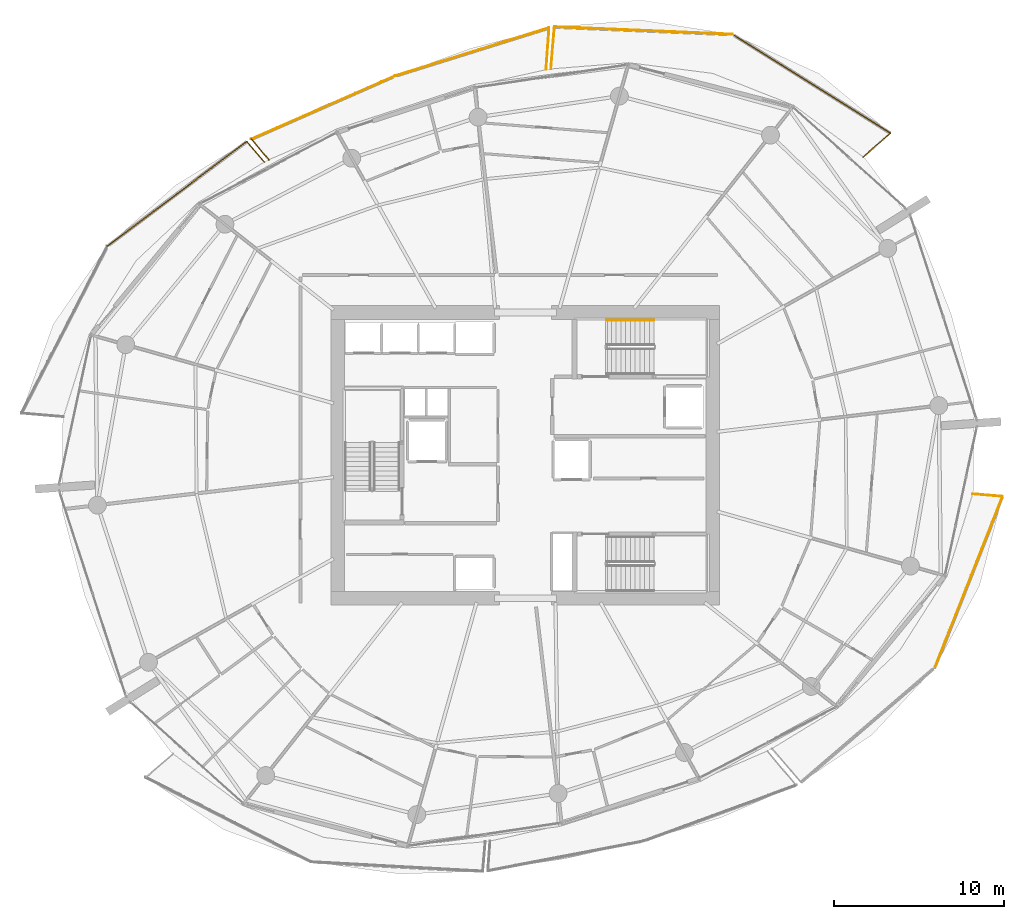
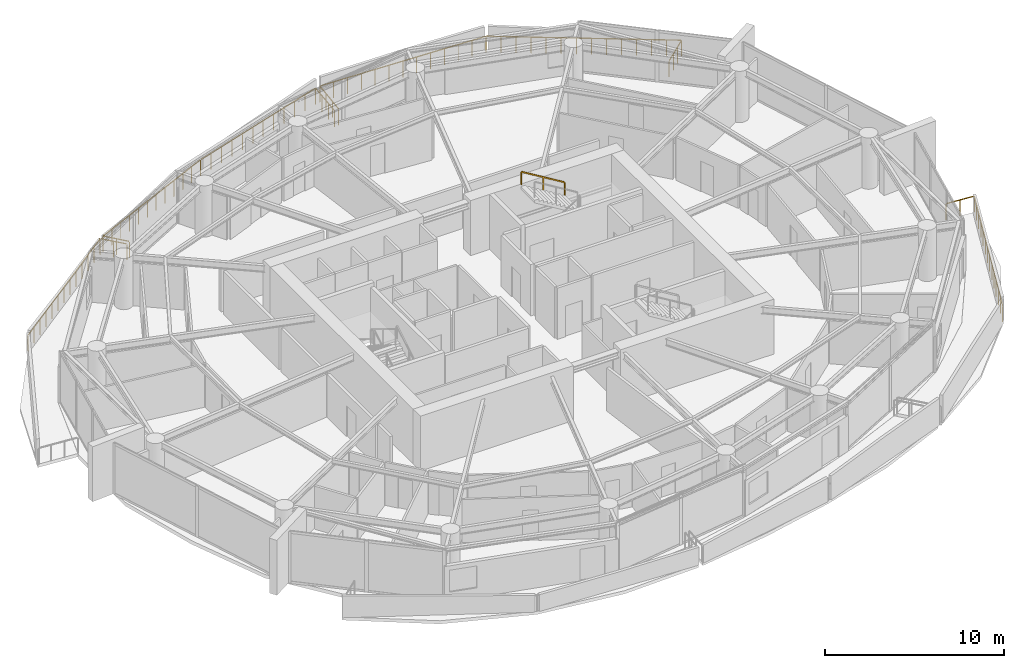
# One storey, part 20 of 20: 13 railings.
"""IFC4 building model written with IfcOpenShell, lengths in metres."""

import ifcopenshell
import ifcopenshell.guid

model = None  # the IFC model being written
_history = None  # IfcOwnerHistory: only IFC2X3 demands one
_inside = {}  # id of a spatial element -> (the spatial element, [elements in it])
_under = {}  # id of a project, library or spatial element -> (it, [spatial elements below it])
_declared = {}  # id of a project -> (the project, [libraries it declares])
_typed = {}  # id of a type object -> (the type object, [elements of that type])
_made_of = {}  # id of a material, layer set ... -> (it, [elements and type objects made of it])


def new_model(schema):
    """Start an empty IFC model of exactly this schema.

    Asked for "IFC4X3", IfcOpenShell would pick the latest addendum, in which some entities
    have other attributes; the version numbers below select the first issue.
    IFC2X3 requires an IfcOwnerHistory on every rooted entity: one is made here for all.
    """
    global model, _history
    if schema == "IFC4X3":
        model = ifcopenshell.file(schema_version=(4, 3, 0, 0))
    else:
        model = ifcopenshell.file(schema=schema)
    _inside.clear()
    _under.clear()
    _declared.clear()
    _typed.clear()
    _made_of.clear()
    _history = None
    if model.schema == "IFC2X3":
        org = make("IfcOrganization", Name="unknown")
        user = make(
            "IfcPersonAndOrganization",
            ThePerson=make("IfcPerson", FamilyName="unknown"),
            TheOrganization=org,
        )
        app = make(
            "IfcApplication",
            ApplicationDeveloper=org,
            Version="unknown",
            ApplicationFullName="unknown",
            ApplicationIdentifier="unknown",
        )
        _history = make(
            "IfcOwnerHistory",
            OwningUser=user,
            OwningApplication=app,
            ChangeAction="ADDED",
            CreationDate=0,
        )
    return model


def make(cls, **values):
    """One entity of the class cls with the attributes given. An attribute that is None is left unset."""
    return model.create_entity(
        cls, **{name: value for name, value in values.items() if value is not None}
    )


def rooted(cls, **values):
    """An entity with a GlobalId (a new one), such as an element, a storey or a relation."""
    return make(cls, GlobalId=ifcopenshell.guid.new(), OwnerHistory=_history, **values)


def si_unit(unit_type, name, prefix=None):
    """IfcSIUnit, for example si_unit("LENGTHUNIT", "METRE", prefix="MILLI")."""
    return make("IfcSIUnit", UnitType=unit_type, Prefix=prefix, Name=name)


def assignment(units):
    """IfcUnitAssignment: the units of a project."""
    return None if units is None else make("IfcUnitAssignment", Units=units)


def point(xyz):
    """IfcCartesianPoint."""
    return None if xyz is None else make("IfcCartesianPoint", Coordinates=xyz)


def direction(xyz):
    """IfcDirection."""
    return None if xyz is None else make("IfcDirection", DirectionRatios=xyz)


def frame(location, z_axis=None, x_axis=None):
    """IfcAxis2Placement3D, a coordinate frame: its origin and axes. An axis left out is left unset."""
    return make(
        "IfcAxis2Placement3D",
        Location=point(location),
        Axis=direction(z_axis),
        RefDirection=direction(x_axis),
    )


def frame_2d(location, x_axis=None):
    """IfcAxis2Placement2D, a coordinate frame in the plane: its origin and x axis."""
    return make(
        "IfcAxis2Placement2D", Location=point(location), RefDirection=direction(x_axis)
    )


def origin():
    """The frame at (0, 0, 0) with its axes left unset."""
    return frame((0.0, 0.0, 0.0))


def origin_2d():
    """The frame at (0, 0) in the plane with its x axis left unset."""
    return frame_2d((0.0, 0.0))


def place(relative_to, where):
    """IfcLocalPlacement: puts the frame where relative to a parent placement (None: the world)."""
    return make(
        "IfcLocalPlacement", PlacementRelTo=relative_to, RelativePlacement=where
    )


def context(
    kind, dimensions, precision=None, world=None, true_north=None, identifier=None
):
    """IfcGeometricRepresentationContext, for example the 3D "Model" context."""
    return make(
        "IfcGeometricRepresentationContext",
        ContextIdentifier=identifier,
        ContextType=kind,
        CoordinateSpaceDimension=dimensions,
        Precision=precision,
        WorldCoordinateSystem=world,
        TrueNorth=true_north,
    )


def subcontext(parent, identifier, kind, view, scale=None):
    """IfcGeometricRepresentationSubContext, for example "Body" below "Model"."""
    return make(
        "IfcGeometricRepresentationSubContext",
        ContextIdentifier=identifier,
        ContextType=kind,
        ParentContext=parent,
        TargetScale=scale,
        TargetView=view,
    )


def project(units=None, contexts=None):
    """IfcProject with its units and contexts."""
    return rooted(
        "IfcProject",
        Name="project",
        RepresentationContexts=contexts,
        UnitsInContext=assignment(units),
    )


def spatial(cls, under=None, at=None, **own):
    """A site, building, storey or space (cls), placed at a placement, below another one or the project."""
    s = rooted(cls, ObjectPlacement=at, **own)
    if under is not None:
        _under.setdefault(under.id(), (under, []))[1].append(s)
    return s


def profile(cls, at=None, kind="AREA", **sizes):
    """A parametric profile (cls). Its sizes go by their IFC names, for example OverallWidth=200.0."""
    return make(cls, ProfileType=kind, Position=at, **sizes)


def rectangle(**sizes):
    """IfcRectangleProfileDef."""
    return profile("IfcRectangleProfileDef", **sizes)


def extrude(swept, where, along, depth):
    """IfcExtrudedAreaSolid: the profile swept, set in the frame where, extruded along a direction by depth."""
    return make(
        "IfcExtrudedAreaSolid",
        SweptArea=swept,
        Position=where,
        ExtrudedDirection=direction(along),
        Depth=depth,
    )


def shape(context_of_items, identifier, shape_type, items):
    """IfcShapeRepresentation: the items that make up one representation, for example the "Body"."""
    return make(
        "IfcShapeRepresentation",
        ContextOfItems=context_of_items,
        RepresentationIdentifier=identifier,
        RepresentationType=shape_type,
        Items=items,
    )


def material(Name=None, Category=None):
    """IfcMaterial."""
    return make("IfcMaterial", Name=Name, Category=Category)


def made_of(thing, what):
    """Note that an element or type object is made of a material, layer set ...; save() writes the relation."""
    if what is not None:
        _made_of.setdefault(what.id(), (what, []))[1].append(thing)
    return thing


def type_object(cls, material=None, **own):
    """A type object (cls), such as IfcWallType, which elements share."""
    return made_of(rooted(cls, **own), material)


def element(
    cls,
    number,
    at=None,
    inside=None,
    cuts=None,
    type_object=None,
    material=None,
    context=None,
    identifier="Body",
    shape_type=None,
    held_by="IfcProductDefinitionShape",
    body=None,
    shapes=None,
    **own,
):
    """One element of the class cls, such as IfcWall. Its Tag is "e" and its number.

    at: its placement. inside: the storey or other place that contains it. cuts: it is an
    opening in that element (IfcRelVoidsElement). A single representation is given by context,
    identifier, shape_type and body (its items); several are given by shapes. held_by: the class
    of the entity that holds the representations. save() writes the other relations.
    """
    e = rooted(cls, Tag="e%d" % number, ObjectPlacement=at, **own)
    if body is not None:
        shapes = [shape(context, identifier, shape_type, body)]
    if shapes is not None:
        e.Representation = make(held_by, Representations=shapes)
    if inside is not None:
        _inside.setdefault(inside.id(), (inside, []))[1].append(e)
    if cuts is not None:
        rooted(
            "IfcRelVoidsElement", RelatingBuildingElement=cuts, RelatedOpeningElement=e
        )
    if type_object is not None:
        _typed.setdefault(type_object.id(), (type_object, []))[1].append(e)
    return made_of(e, material)


def aggregate(whole, parts):
    """IfcRelAggregates: a whole, such as a stair, and the parts it consists of."""
    return rooted("IfcRelAggregates", RelatingObject=whole, RelatedObjects=parts)


def save(model, path):
    """Write the relations noted so far, then the file.

    IfcRelAggregates (storeys below a building ...), IfcRelContainedInSpatialStructure (elements
    in a storey), IfcRelDefinesByType, IfcRelAssociatesMaterial and IfcRelDeclares: one each for
    every whole, place, type object, material and project.
    """
    for whole, parts in _under.values():
        aggregate(whole, parts)
    for where, things in _inside.values():
        rooted(
            "IfcRelContainedInSpatialStructure",
            RelatedElements=things,
            RelatingStructure=where,
        )
    for kind, things in _typed.values():
        rooted("IfcRelDefinesByType", RelatedObjects=things, RelatingType=kind)
    for what, things in _made_of.values():
        rooted("IfcRelAssociatesMaterial", RelatedObjects=things, RelatingMaterial=what)
    for by, libraries in _declared.values():
        rooted("IfcRelDeclares", RelatingContext=by, RelatedDefinitions=libraries)
    model.write(path)


model = new_model("IFC4")

# Units and contexts
model_context = context("Model", 3, precision=1e-05, world=origin(), true_north=direction((0.0, 1.0)))
body_context = subcontext(model_context, "Body", "Model", "MODEL_VIEW")
ifc_project = project(units=[si_unit("LENGTHUNIT", "METRE"), si_unit("AREAUNIT", "SQUARE_METRE"), si_unit("VOLUMEUNIT", "CUBIC_METRE"), si_unit("PLANEANGLEUNIT", "RADIAN"), si_unit("MASSUNIT", "GRAM", prefix="KILO")], contexts=[model_context])

# Site, building, storey
site_placement = place(None, origin())
site = spatial("IfcSite", under=ifc_project, at=site_placement, CompositionType="ELEMENT")
building_placement = place(site_placement, origin())
building = spatial("IfcBuilding", under=site, at=building_placement, Name="Kazma Halo Residences", CompositionType="ELEMENT")
storey_placement = place(building_placement, frame((0.0, 0.0, 161.550048828125)))
storey = spatial("IfcBuildingStorey", under=building, at=storey_placement, Name="L40", CompositionType="ELEMENT", Elevation=161.550048828125)

# Railings
ifc_material_1 = material(Name="Aluminium AW-6063 T6 Brushed Cap Rail", Category="aluminium")
railing_type_1 = type_object("IfcRailingType", Name="RLG-BAL-CAP-1120", PredefinedType="BALUSTRADE", material=ifc_material_1)
railing_1_placement = place(storey_placement, frame((68.294677734375, 59.548583984375, 0.0)))
element("IfcRailing", 1, at=railing_1_placement, inside=storey, type_object=railing_type_1, Name="L40 NE wave balcony guard 1", PredefinedType="BALUSTRADE", context=body_context, shape_type="SweptSolid", body=[
    extrude(rectangle(XDim=0.050048828125, YDim=0.050048828125, at=origin_2d()), frame((0.0322265625, 0.02783203125, 1.09521484375), z_axis=(0.756373912854, 0.654139514136, 0.0), x_axis=(-0.654139514136, 0.756373912854, 0.0)), (0.0, 0.0, 1.0), 2.042724609375),
    extrude(rectangle(XDim=0.0400390625, YDim=0.0400390625, at=origin_2d()), origin(), (0.0, 0.0, 1.0), 1.05810546875),
    extrude(rectangle(XDim=0.0400390625, YDim=0.0400390625, at=origin_2d()), frame((0.536376953125, 0.4638671875, 0.0)), (0.0, 0.0, 1.0), 1.05810546875),
    extrude(rectangle(XDim=0.0400390625, YDim=0.0400390625, at=origin_2d()), frame((1.072998046875, 0.927978515625, 0.0)), (0.0, 0.0, 1.0), 1.05810546875),
    extrude(rectangle(XDim=0.0400390625, YDim=0.0400390625, at=origin_2d()), frame((1.609375, 1.391845703125, 0.0)), (0.0, 0.0, 1.0), 1.05810546875),
])
railing_2_placement = place(storey_placement, frame((69.904052734375, 60.9404296875, 0.0)))
element("IfcRailing", 2, at=railing_2_placement, inside=storey, type_object=railing_type_1, Name="L40 NE wave balcony guard 2", PredefinedType="BALUSTRADE", context=body_context, shape_type="SweptSolid", body=[
    extrude(rectangle(XDim=0.050048828125, YDim=0.050048828125, at=origin_2d()), frame((-0.0361328125, 0.0224609375, 1.09521484375), z_axis=(-0.847681544963, 0.530505417812, 0.0), x_axis=(-0.530505417812, -0.847681544963, 0.0)), (0.0, 0.0, 1.0), 10.875244140625),
    extrude(rectangle(XDim=0.0400390625, YDim=0.0400390625, at=origin_2d()), origin(), (0.0, 0.0, 1.0), 1.05810546875),
    extrude(rectangle(XDim=0.0400390625, YDim=0.0400390625, at=origin_2d()), frame((-0.714599609375, 0.447265625, 0.0)), (0.0, 0.0, 1.0), 1.05810546875),
    extrude(rectangle(XDim=0.0400390625, YDim=0.0400390625, at=origin_2d()), frame((-1.429443359375, 0.89453125, 0.0)), (0.0, 0.0, 1.0), 1.05810546875),
    extrude(rectangle(XDim=0.0400390625, YDim=0.0400390625, at=origin_2d()), frame((-2.14404296875, 1.341796875, 0.0)), (0.0, 0.0, 1.0), 1.05810546875),
    extrude(rectangle(XDim=0.0400390625, YDim=0.0400390625, at=origin_2d()), frame((-2.858642578125, 1.7890625, 0.0)), (0.0, 0.0, 1.0), 1.05810546875),
    extrude(rectangle(XDim=0.0400390625, YDim=0.0400390625, at=origin_2d()), frame((-3.573486328125, 2.236328125, 0.0)), (0.0, 0.0, 1.0), 1.05810546875),
    extrude(rectangle(XDim=0.0400390625, YDim=0.0400390625, at=origin_2d()), frame((-4.2880859375, 2.68359375, 0.0)), (0.0, 0.0, 1.0), 1.05810546875),
    extrude(rectangle(XDim=0.0400390625, YDim=0.0400390625, at=origin_2d()), frame((-5.002685546875, 3.130859375, 0.0)), (0.0, 0.0, 1.0), 1.05810546875),
    extrude(rectangle(XDim=0.0400390625, YDim=0.0400390625, at=origin_2d()), frame((-5.71728515625, 3.578125, 0.0)), (0.0, 0.0, 1.0), 1.05810546875),
    extrude(rectangle(XDim=0.0400390625, YDim=0.0400390625, at=origin_2d()), frame((-6.43212890625, 4.025390625, 0.0)), (0.0, 0.0, 1.0), 1.05810546875),
    extrude(rectangle(XDim=0.0400390625, YDim=0.0400390625, at=origin_2d()), frame((-7.146728515625, 4.47265625, 0.0)), (0.0, 0.0, 1.0), 1.05810546875),
    extrude(rectangle(XDim=0.0400390625, YDim=0.0400390625, at=origin_2d()), frame((-7.861328125, 4.919921875, 0.0)), (0.0, 0.0, 1.0), 1.05810546875),
    extrude(rectangle(XDim=0.0400390625, YDim=0.0400390625, at=origin_2d()), frame((-8.576171875, 5.3671875, 0.0)), (0.0, 0.0, 1.0), 1.05810546875),
    extrude(rectangle(XDim=0.0400390625, YDim=0.0400390625, at=origin_2d()), frame((-9.290771484375, 5.814453125, 0.0)), (0.0, 0.0, 1.0), 1.05810546875),
])
railing_3_placement = place(storey_placement, frame((60.61328125, 66.7548828125, 0.0)))
element("IfcRailing", 3, at=railing_3_placement, inside=storey, type_object=railing_type_1, Name="L40 NE wave balcony guard 3", PredefinedType="BALUSTRADE", context=body_context, shape_type="SweptSolid", body=[
    extrude(rectangle(XDim=0.050048828125, YDim=0.050048828125, at=origin_2d()), frame((-0.04248046875, 0.001708984375, 1.09521484375), z_axis=(-0.999119297939, 0.041959843733, 0.0), x_axis=(-0.041959843733, -0.999119297939, 0.0)), (0.0, 0.0, 1.0), 10.399658203125),
    extrude(rectangle(XDim=0.0400390625, YDim=0.0400390625, at=origin_2d()), origin(), (0.0, 0.0, 1.0), 1.05810546875),
    extrude(rectangle(XDim=0.0400390625, YDim=0.0400390625, at=origin_2d()), frame((-0.873046875, 0.03662109375, 0.0)), (0.0, 0.0, 1.0), 1.05810546875),
    extrude(rectangle(XDim=0.0400390625, YDim=0.0400390625, at=origin_2d()), frame((-1.745849609375, 0.0732421875, 0.0)), (0.0, 0.0, 1.0), 1.05810546875),
    extrude(rectangle(XDim=0.0400390625, YDim=0.0400390625, at=origin_2d()), frame((-2.618896484375, 0.10986328125, 0.0)), (0.0, 0.0, 1.0), 1.05810546875),
    extrude(rectangle(XDim=0.0400390625, YDim=0.0400390625, at=origin_2d()), frame((-3.491943359375, 0.146728515625, 0.0)), (0.0, 0.0, 1.0), 1.05810546875),
    extrude(rectangle(XDim=0.0400390625, YDim=0.0400390625, at=origin_2d()), frame((-4.36474609375, 0.183349609375, 0.0)), (0.0, 0.0, 1.0), 1.05810546875),
    extrude(rectangle(XDim=0.0400390625, YDim=0.0400390625, at=origin_2d()), frame((-5.23779296875, 0.219970703125, 0.0)), (0.0, 0.0, 1.0), 1.05810546875),
    extrude(rectangle(XDim=0.0400390625, YDim=0.0400390625, at=origin_2d()), frame((-6.11083984375, 0.256591796875, 0.0)), (0.0, 0.0, 1.0), 1.05810546875),
    extrude(rectangle(XDim=0.0400390625, YDim=0.0400390625, at=origin_2d()), frame((-6.983642578125, 0.293212890625, 0.0)), (0.0, 0.0, 1.0), 1.05810546875),
    extrude(rectangle(XDim=0.0400390625, YDim=0.0400390625, at=origin_2d()), frame((-7.856689453125, 0.330078125, 0.0)), (0.0, 0.0, 1.0), 1.05810546875),
    extrude(rectangle(XDim=0.0400390625, YDim=0.0400390625, at=origin_2d()), frame((-8.729736328125, 0.36669921875, 0.0)), (0.0, 0.0, 1.0), 1.05810546875),
    extrude(rectangle(XDim=0.0400390625, YDim=0.0400390625, at=origin_2d()), frame((-9.6025390625, 0.4033203125, 0.0)), (0.0, 0.0, 1.0), 1.05810546875),
    extrude(rectangle(XDim=0.0400390625, YDim=0.0400390625, at=origin_2d()), frame((-10.4755859375, 0.43994140625, 0.0)), (0.0, 0.0, 1.0), 1.05810546875),
])
railing_4_placement = place(storey_placement, frame((50.1376953125, 67.19482421875, 0.0)))
element("IfcRailing", 4, at=railing_4_placement, inside=storey, type_object=railing_type_1, Name="L40 NE wave balcony guard 4", PredefinedType="BALUSTRADE", context=body_context, shape_type="SweptSolid", body=[
    extrude(rectangle(XDim=0.050048828125, YDim=0.050048828125, at=origin_2d()), frame((-0.003662109375, -0.04248046875, 1.09521484375), z_axis=(-0.084453003574, -0.996427463585, 0.0), x_axis=(0.996427463585, -0.084453003574, 0.0)), (0.0, 0.0, 1.0), 2.398193359375),
    extrude(rectangle(XDim=0.0400390625, YDim=0.0400390625, at=origin_2d()), origin(), (0.0, 0.0, 1.0), 1.05810546875),
    extrude(rectangle(XDim=0.0400390625, YDim=0.0400390625, at=origin_2d()), frame((-0.06982421875, -0.82470703125, 0.0)), (0.0, 0.0, 1.0), 1.05810546875),
    extrude(rectangle(XDim=0.0400390625, YDim=0.0400390625, at=origin_2d()), frame((-0.139892578125, -1.649658203125, 0.0)), (0.0, 0.0, 1.0), 1.05810546875),
    extrude(rectangle(XDim=0.0400390625, YDim=0.0400390625, at=origin_2d()), frame((-0.209716796875, -2.474365234375, 0.0)), (0.0, 0.0, 1.0), 1.05810546875),
])
railing_5_placement = place(storey_placement, frame((49.6455078125, 64.67822265625, 0.0)))
element("IfcRailing", 5, at=railing_5_placement, inside=storey, type_object=railing_type_1, Name="L40 NNW wave balcony guard 1", PredefinedType="BALUSTRADE", context=body_context, shape_type="SweptSolid", body=[
    extrude(rectangle(XDim=0.050048828125, YDim=0.050048828125, at=origin_2d()), frame((0.003173828125, 0.04248046875, 1.09521484375), z_axis=(0.072387043976, 0.997376616863, 0.0), x_axis=(-0.997376616863, 0.072387043976, 0.0)), (0.0, 0.0, 1.0), 2.38037109375),
    extrude(rectangle(XDim=0.0400390625, YDim=0.0400390625, at=origin_2d()), origin(), (0.0, 0.0, 1.0), 1.05810546875),
    extrude(rectangle(XDim=0.0400390625, YDim=0.0400390625, at=origin_2d()), frame((0.0595703125, 0.819580078125, 0.0)), (0.0, 0.0, 1.0), 1.05810546875),
    extrude(rectangle(XDim=0.0400390625, YDim=0.0400390625, at=origin_2d()), frame((0.118896484375, 1.639404296875, 0.0)), (0.0, 0.0, 1.0), 1.05810546875),
    extrude(rectangle(XDim=0.0400390625, YDim=0.0400390625, at=origin_2d()), frame((0.178466796875, 2.458984375, 0.0)), (0.0, 0.0, 1.0), 1.05810546875),
])
railing_6_placement = place(storey_placement, frame((49.823974609375, 67.13720703125, 0.0)))
element("IfcRailing", 6, at=railing_6_placement, inside=storey, type_object=railing_type_1, Name="L40 NNW wave balcony guard 2", PredefinedType="BALUSTRADE", context=body_context, shape_type="SweptSolid", body=[
    extrude(rectangle(XDim=0.050048828125, YDim=0.050048828125, at=origin_2d()), frame((-0.04052734375, -0.0126953125, 1.09521484375), z_axis=(-0.954419160953, -0.298469538154, 0.0), x_axis=(0.298469538154, -0.954419160953, 0.0)), (0.0, 0.0, 1.0), 9.418212890625),
    extrude(rectangle(XDim=0.0400390625, YDim=0.0400390625, at=origin_2d()), origin(), (0.0, 0.0, 1.0), 1.05810546875),
    extrude(rectangle(XDim=0.0400390625, YDim=0.0400390625, at=origin_2d()), frame((-0.824462890625, -0.2578125, 0.0)), (0.0, 0.0, 1.0), 1.05810546875),
    extrude(rectangle(XDim=0.0400390625, YDim=0.0400390625, at=origin_2d()), frame((-1.649169921875, -0.515625, 0.0)), (0.0, 0.0, 1.0), 1.05810546875),
    extrude(rectangle(XDim=0.0400390625, YDim=0.0400390625, at=origin_2d()), frame((-2.4736328125, -0.773681640625, 0.0)), (0.0, 0.0, 1.0), 1.05810546875),
    extrude(rectangle(XDim=0.0400390625, YDim=0.0400390625, at=origin_2d()), frame((-3.298095703125, -1.031494140625, 0.0)), (0.0, 0.0, 1.0), 1.05810546875),
    extrude(rectangle(XDim=0.0400390625, YDim=0.0400390625, at=origin_2d()), frame((-4.122802734375, -1.289306640625, 0.0)), (0.0, 0.0, 1.0), 1.05810546875),
    extrude(rectangle(XDim=0.0400390625, YDim=0.0400390625, at=origin_2d()), frame((-4.947265625, -1.547119140625, 0.0)), (0.0, 0.0, 1.0), 1.05810546875),
    extrude(rectangle(XDim=0.0400390625, YDim=0.0400390625, at=origin_2d()), frame((-5.77197265625, -1.804931640625, 0.0)), (0.0, 0.0, 1.0), 1.05810546875),
    extrude(rectangle(XDim=0.0400390625, YDim=0.0400390625, at=origin_2d()), frame((-6.596435546875, -2.062744140625, 0.0)), (0.0, 0.0, 1.0), 1.05810546875),
    extrude(rectangle(XDim=0.0400390625, YDim=0.0400390625, at=origin_2d()), frame((-7.4208984375, -2.32080078125, 0.0)), (0.0, 0.0, 1.0), 1.05810546875),
    extrude(rectangle(XDim=0.0400390625, YDim=0.0400390625, at=origin_2d()), frame((-8.24560546875, -2.57861328125, 0.0)), (0.0, 0.0, 1.0), 1.05810546875),
    extrude(rectangle(XDim=0.0400390625, YDim=0.0400390625, at=origin_2d()), frame((-9.070068359375, -2.83642578125, 0.0)), (0.0, 0.0, 1.0), 1.05810546875),
])
railing_7_placement = place(storey_placement, frame((40.75390625, 64.30078125, 0.0)))
element("IfcRailing", 7, at=railing_7_placement, inside=storey, type_object=railing_type_1, Name="L40 NNW wave balcony guard 3", PredefinedType="BALUSTRADE", context=body_context, shape_type="SweptSolid", body=[
    extrude(rectangle(XDim=0.050048828125, YDim=0.050048828125, at=origin_2d()), frame((-0.0390625, -0.01708984375, 1.09521484375), z_axis=(-0.915413436935, -0.402514893487, 0.0), x_axis=(0.402514893487, -0.915413436935, 0.0)), (0.0, 0.0, 1.0), 9.13134765625),
    extrude(rectangle(XDim=0.0400390625, YDim=0.0400390625, at=origin_2d()), origin(), (0.0, 0.0, 1.0), 1.05810546875),
    extrude(rectangle(XDim=0.0400390625, YDim=0.0400390625, at=origin_2d()), frame((-0.76708984375, -0.337158203125, 0.0)), (0.0, 0.0, 1.0), 1.05810546875),
    extrude(rectangle(XDim=0.0400390625, YDim=0.0400390625, at=origin_2d()), frame((-1.533935546875, -0.674560546875, 0.0)), (0.0, 0.0, 1.0), 1.05810546875),
    extrude(rectangle(XDim=0.0400390625, YDim=0.0400390625, at=origin_2d()), frame((-2.301025390625, -1.01171875, 0.0)), (0.0, 0.0, 1.0), 1.05810546875),
    extrude(rectangle(XDim=0.0400390625, YDim=0.0400390625, at=origin_2d()), frame((-3.06787109375, -1.348876953125, 0.0)), (0.0, 0.0, 1.0), 1.05810546875),
    extrude(rectangle(XDim=0.0400390625, YDim=0.0400390625, at=origin_2d()), frame((-3.8349609375, -1.686279296875, 0.0)), (0.0, 0.0, 1.0), 1.05810546875),
    extrude(rectangle(XDim=0.0400390625, YDim=0.0400390625, at=origin_2d()), frame((-4.601806640625, -2.0234375, 0.0)), (0.0, 0.0, 1.0), 1.05810546875),
    extrude(rectangle(XDim=0.0400390625, YDim=0.0400390625, at=origin_2d()), frame((-5.368896484375, -2.36083984375, 0.0)), (0.0, 0.0, 1.0), 1.05810546875),
    extrude(rectangle(XDim=0.0400390625, YDim=0.0400390625, at=origin_2d()), frame((-6.1357421875, -2.697998046875, 0.0)), (0.0, 0.0, 1.0), 1.05810546875),
    extrude(rectangle(XDim=0.0400390625, YDim=0.0400390625, at=origin_2d()), frame((-6.90283203125, -3.03515625, 0.0)), (0.0, 0.0, 1.0), 1.05810546875),
    extrude(rectangle(XDim=0.0400390625, YDim=0.0400390625, at=origin_2d()), frame((-7.669677734375, -3.37255859375, 0.0)), (0.0, 0.0, 1.0), 1.05810546875),
    extrude(rectangle(XDim=0.0400390625, YDim=0.0400390625, at=origin_2d()), frame((-8.436767578125, -3.709716796875, 0.0)), (0.0, 0.0, 1.0), 1.05810546875),
])
railing_8_placement = place(storey_placement, frame((32.317138671875, 60.591064453125, 0.0)))
element("IfcRailing", 8, at=railing_8_placement, inside=storey, type_object=railing_type_1, Name="L40 NNW wave balcony guard 4", PredefinedType="BALUSTRADE", context=body_context, shape_type="SweptSolid", body=[
    extrude(rectangle(XDim=0.050048828125, YDim=0.050048828125, at=origin_2d()), frame((0.02734375, -0.032470703125, 1.09521484375), z_axis=(0.644794998224, -0.764355552256, 0.0), x_axis=(0.764355552256, 0.644794998224, 0.0)), (0.0, 0.0, 1.0), 1.49951171875),
    extrude(rectangle(XDim=0.0400390625, YDim=0.0400390625, at=origin_2d()), origin(), (0.0, 0.0, 1.0), 1.05810546875),
    extrude(rectangle(XDim=0.0400390625, YDim=0.0400390625, at=origin_2d()), frame((0.5107421875, -0.60546875, 0.0)), (0.0, 0.0, 1.0), 1.05810546875),
    extrude(rectangle(XDim=0.0400390625, YDim=0.0400390625, at=origin_2d()), frame((1.021728515625, -1.211181640625, 0.0)), (0.0, 0.0, 1.0), 1.05810546875),
])
railing_9_placement = place(storey_placement, frame((33.08544921875, 59.248046875, 0.0)))
element("IfcRailing", 9, at=railing_9_placement, inside=storey, type_object=railing_type_1, Name="L40 NW wave balcony guard 1", PredefinedType="BALUSTRADE", context=body_context, shape_type="SweptSolid", body=[
    extrude(rectangle(XDim=0.050048828125, YDim=0.050048828125, at=origin_2d()), frame((-0.02783203125, 0.0322265625, 1.09521484375), z_axis=(-0.653999859695, 0.756494668533, 0.0), x_axis=(-0.756494668533, -0.653999859695, 0.0)), (0.0, 0.0, 1.0), 1.503662109375),
    extrude(rectangle(XDim=0.0400390625, YDim=0.0400390625, at=origin_2d()), origin(), (0.0, 0.0, 1.0), 1.05810546875),
    extrude(rectangle(XDim=0.0400390625, YDim=0.0400390625, at=origin_2d()), frame((-0.51953125, 0.60107421875, 0.0)), (0.0, 0.0, 1.0), 1.05810546875),
    extrude(rectangle(XDim=0.0400390625, YDim=0.0400390625, at=origin_2d()), frame((-1.0390625, 1.201904296875, 0.0)), (0.0, 0.0, 1.0), 1.05810546875),
])
railing_10_placement = place(storey_placement, frame((32.04638671875, 60.449951171875, 0.0)))
element("IfcRailing", 10, at=railing_10_placement, inside=storey, type_object=railing_type_1, Name="L40 NW wave balcony guard 2", PredefinedType="BALUSTRADE", context=body_context, shape_type="SweptSolid", body=[
    extrude(rectangle(XDim=0.050048828125, YDim=0.050048828125, at=origin_2d()), frame((-0.033935546875, -0.025634765625, 1.09521484375), z_axis=(-0.800074352867, -0.599900850045, 0.0), x_axis=(0.599900850045, -0.800074352867, 0.0)), (0.0, 0.0, 1.0), 10.15869140625),
    extrude(rectangle(XDim=0.0400390625, YDim=0.0400390625, at=origin_2d()), origin(), (0.0, 0.0, 1.0), 1.05810546875),
    extrude(rectangle(XDim=0.0400390625, YDim=0.0400390625, at=origin_2d()), frame((-0.68310546875, -0.51220703125, 0.0)), (0.0, 0.0, 1.0), 1.05810546875),
    extrude(rectangle(XDim=0.0400390625, YDim=0.0400390625, at=origin_2d()), frame((-1.365966796875, -1.024169921875, 0.0)), (0.0, 0.0, 1.0), 1.05810546875),
    extrude(rectangle(XDim=0.0400390625, YDim=0.0400390625, at=origin_2d()), frame((-2.048828125, -1.536376953125, 0.0)), (0.0, 0.0, 1.0), 1.05810546875),
    extrude(rectangle(XDim=0.0400390625, YDim=0.0400390625, at=origin_2d()), frame((-2.73193359375, -2.04833984375, 0.0)), (0.0, 0.0, 1.0), 1.05810546875),
    extrude(rectangle(XDim=0.0400390625, YDim=0.0400390625, at=origin_2d()), frame((-3.4150390625, -2.560546875, 0.0)), (0.0, 0.0, 1.0), 1.05810546875),
    extrude(rectangle(XDim=0.0400390625, YDim=0.0400390625, at=origin_2d()), frame((-4.097900390625, -3.07275390625, 0.0)), (0.0, 0.0, 1.0), 1.05810546875),
    extrude(rectangle(XDim=0.0400390625, YDim=0.0400390625, at=origin_2d()), frame((-4.78076171875, -3.584716796875, 0.0)), (0.0, 0.0, 1.0), 1.05810546875),
    extrude(rectangle(XDim=0.0400390625, YDim=0.0400390625, at=origin_2d()), frame((-5.4638671875, -4.096923828125, 0.0)), (0.0, 0.0, 1.0), 1.05810546875),
    extrude(rectangle(XDim=0.0400390625, YDim=0.0400390625, at=origin_2d()), frame((-6.14697265625, -4.60888671875, 0.0)), (0.0, 0.0, 1.0), 1.05810546875),
    extrude(rectangle(XDim=0.0400390625, YDim=0.0400390625, at=origin_2d()), frame((-6.829833984375, -5.12109375, 0.0)), (0.0, 0.0, 1.0), 1.05810546875),
    extrude(rectangle(XDim=0.0400390625, YDim=0.0400390625, at=origin_2d()), frame((-7.5126953125, -5.633056640625, 0.0)), (0.0, 0.0, 1.0), 1.05810546875),
    extrude(rectangle(XDim=0.0400390625, YDim=0.0400390625, at=origin_2d()), frame((-8.19580078125, -6.145263671875, 0.0)), (0.0, 0.0, 1.0), 1.05810546875),
])
railing_11_placement = place(storey_placement, frame((72.50390625, 29.5146484375, 0.0)))
element("IfcRailing", 11, at=railing_11_placement, inside=storey, type_object=railing_type_1, Name="L40 SE wave balcony guard 3", PredefinedType="BALUSTRADE", context=body_context, shape_type="SweptSolid", body=[
    extrude(rectangle(XDim=0.050048828125, YDim=0.050048828125, at=origin_2d()), frame((0.015625, 0.03955078125, 1.09521484375), z_axis=(0.367674762785, 0.929954444481, 0.0), x_axis=(-0.929954444481, 0.367674762785, 0.0)), (0.0, 0.0, 1.0), 10.74169921875),
    extrude(rectangle(XDim=0.0400390625, YDim=0.0400390625, at=origin_2d()), origin(), (0.0, 0.0, 1.0), 1.05810546875),
    extrude(rectangle(XDim=0.0400390625, YDim=0.0400390625, at=origin_2d()), frame((0.30615234375, 0.7744140625, 0.0)), (0.0, 0.0, 1.0), 1.05810546875),
    extrude(rectangle(XDim=0.0400390625, YDim=0.0400390625, at=origin_2d()), frame((0.6123046875, 1.549072265625, 0.0)), (0.0, 0.0, 1.0), 1.05810546875),
    extrude(rectangle(XDim=0.0400390625, YDim=0.0400390625, at=origin_2d()), frame((0.918701171875, 2.323486328125, 0.0)), (0.0, 0.0, 1.0), 1.05810546875),
    extrude(rectangle(XDim=0.0400390625, YDim=0.0400390625, at=origin_2d()), frame((1.224853515625, 3.097900390625, 0.0)), (0.0, 0.0, 1.0), 1.05810546875),
    extrude(rectangle(XDim=0.0400390625, YDim=0.0400390625, at=origin_2d()), frame((1.531005859375, 3.87255859375, 0.0)), (0.0, 0.0, 1.0), 1.05810546875),
    extrude(rectangle(XDim=0.0400390625, YDim=0.0400390625, at=origin_2d()), frame((1.837158203125, 4.64697265625, 0.0)), (0.0, 0.0, 1.0), 1.05810546875),
    extrude(rectangle(XDim=0.0400390625, YDim=0.0400390625, at=origin_2d()), frame((2.1435546875, 5.42138671875, 0.0)), (0.0, 0.0, 1.0), 1.05810546875),
    extrude(rectangle(XDim=0.0400390625, YDim=0.0400390625, at=origin_2d()), frame((2.44970703125, 6.19580078125, 0.0)), (0.0, 0.0, 1.0), 1.05810546875),
    extrude(rectangle(XDim=0.0400390625, YDim=0.0400390625, at=origin_2d()), frame((2.755859375, 6.970458984375, 0.0)), (0.0, 0.0, 1.0), 1.05810546875),
    extrude(rectangle(XDim=0.0400390625, YDim=0.0400390625, at=origin_2d()), frame((3.06201171875, 7.744873046875, 0.0)), (0.0, 0.0, 1.0), 1.05810546875),
    extrude(rectangle(XDim=0.0400390625, YDim=0.0400390625, at=origin_2d()), frame((3.368408203125, 8.519287109375, 0.0)), (0.0, 0.0, 1.0), 1.05810546875),
    extrude(rectangle(XDim=0.0400390625, YDim=0.0400390625, at=origin_2d()), frame((3.674560546875, 9.2939453125, 0.0)), (0.0, 0.0, 1.0), 1.05810546875),
    extrude(rectangle(XDim=0.0400390625, YDim=0.0400390625, at=origin_2d()), frame((3.980712890625, 10.068359375, 0.0)), (0.0, 0.0, 1.0), 1.05810546875),
])
railing_12_placement = place(storey_placement, frame((76.484619140625, 39.5830078125, 0.0)))
element("IfcRailing", 12, at=railing_12_placement, inside=storey, type_object=railing_type_1, Name="L40 SE wave balcony guard 4", PredefinedType="BALUSTRADE", context=body_context, shape_type="SweptSolid", body=[
    extrude(rectangle(XDim=0.050048828125, YDim=0.050048828125, at=origin_2d()), frame((-0.04248046875, 0.003662109375, 1.09521484375), z_axis=(-0.996415217957, 0.084597360621, 0.0), x_axis=(-0.084597360621, -0.996415217957, 0.0)), (0.0, 0.0, 1.0), 1.67236328125),
    extrude(rectangle(XDim=0.0400390625, YDim=0.0400390625, at=origin_2d()), origin(), (0.0, 0.0, 1.0), 1.05810546875),
    extrude(rectangle(XDim=0.0400390625, YDim=0.0400390625, at=origin_2d()), frame((-0.87548828125, 0.07421875, 0.0)), (0.0, 0.0, 1.0), 1.05810546875),
    extrude(rectangle(XDim=0.0400390625, YDim=0.0400390625, at=origin_2d()), frame((-1.751220703125, 0.148681640625, 0.0)), (0.0, 0.0, 1.0), 1.05810546875),
])
ifc_material_2 = material(Name="Brushed Stainless Steel", Category="steel")
railing_type_2 = type_object("IfcRailingType", Name="RLG-STAIR-HND-900", PredefinedType="HANDRAIL", material=ifc_material_2)
railing_13_placement = place(storey_placement, frame((56.0, 49.949951171875, 2.04541015625)))
element("IfcRailing", 13, at=railing_13_placement, inside=storey, type_object=railing_type_2, Name="L40 ST-02 stair handrail 2", PredefinedType="HANDRAIL", context=body_context, shape_type="SweptSolid", body=[
    extrude(rectangle(XDim=0.050048828125, YDim=0.050048828125, at=origin_2d()), frame((-0.036376953125, 0.0, 0.89697265625), z_axis=(-0.854169791009, 0.0, 0.51999420009), x_axis=(0.0, -1.0, 0.0)), (0.0, 0.0, 1.0), 3.193115234375),
    extrude(rectangle(XDim=0.0400390625, YDim=0.0400390625, at=origin_2d()), origin(), (0.0, 0.0, 1.0), 0.837890625),
    extrude(rectangle(XDim=0.0400390625, YDim=0.0400390625, at=origin_2d()), frame((-1.39990234375, 0.0, 0.852294921875)), (0.0, 0.0, 1.0), 0.837890625),
    extrude(rectangle(XDim=0.0400390625, YDim=0.0400390625, at=origin_2d()), frame((-2.800048828125, 0.0, 1.70458984375)), (0.0, 0.0, 1.0), 0.837890625),
])

save(model, "model.ifc")
